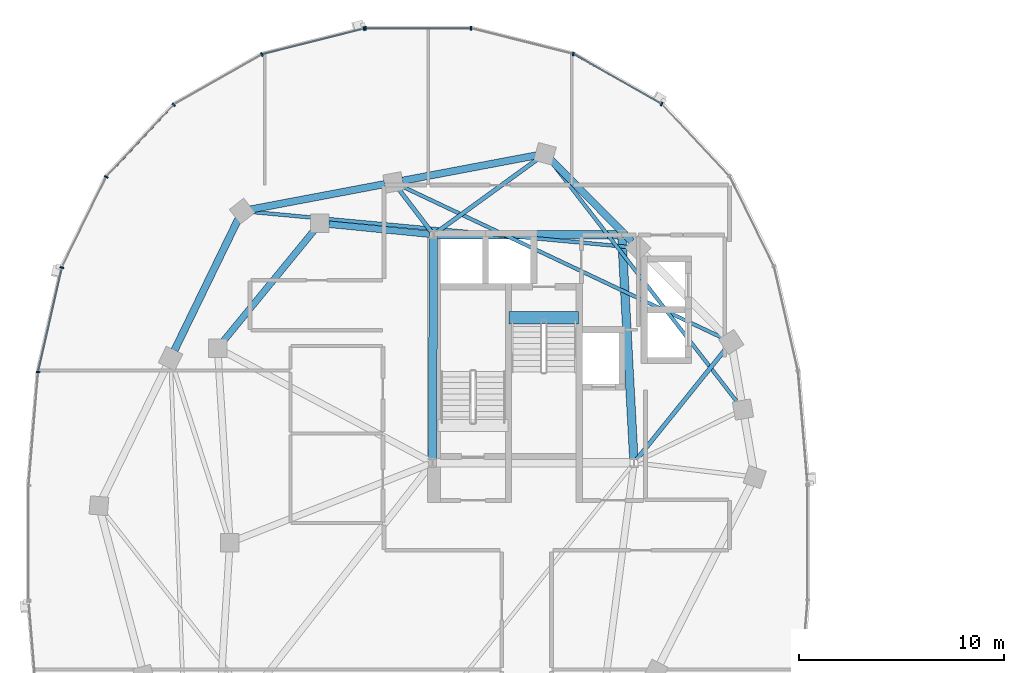
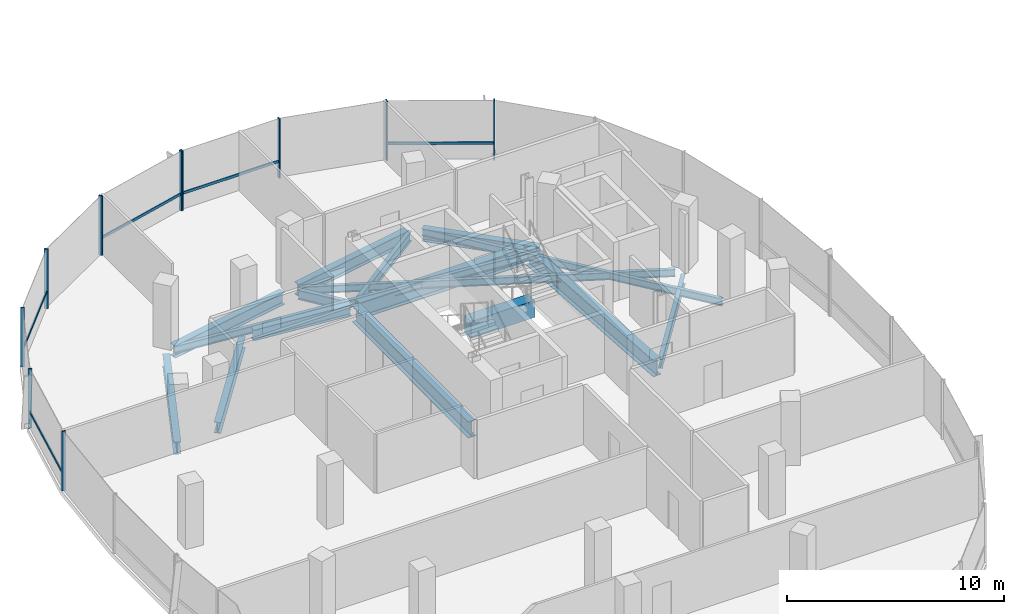
# One storey, part 6 of 25: 16 beams, 15 members, 2 elements without a shape of their own.
"""IFC4 building model written with IfcOpenShell, lengths in metres."""

from ifc_helpers import new_model, si_unit, direction, frame, origin, origin_2d, place, context, subcontext, project, spatial, rectangle, i_section, extrude, material, material_profile, profile_set, type_object, element, aggregate, save


model = new_model("IFC4")

# Units and contexts
model_context = context("Model", 3, precision=1e-05, world=origin(), true_north=direction((0.0, 1.0)))
body_context = subcontext(model_context, "Body", "Model", "MODEL_VIEW")
ifc_project = project(units=[si_unit("LENGTHUNIT", "METRE"), si_unit("AREAUNIT", "SQUARE_METRE"), si_unit("VOLUMEUNIT", "CUBIC_METRE"), si_unit("PLANEANGLEUNIT", "RADIAN"), si_unit("MASSUNIT", "GRAM", prefix="KILO"), si_unit("THERMODYNAMICTEMPERATUREUNIT", "KELVIN"), si_unit("POWERUNIT", "WATT")], contexts=[model_context])

# Site, building, storey
site_placement = place(None, origin())
site = spatial("IfcSite", under=ifc_project, at=site_placement, CompositionType="ELEMENT")
building_placement = place(site_placement, origin())
building = spatial("IfcBuilding", under=site, at=building_placement, Name="Cundina Bronze Exchange", CompositionType="ELEMENT")
storey_placement = place(building_placement, frame((0.0, 0.0, 224.199951171875)))
storey = spatial("IfcBuildingStorey", under=building, at=storey_placement, Name="L59", CompositionType="ELEMENT", Elevation=224.199951171875)

# Beams
ifc_material_1 = material(Name="Concrete C60/75", Category="concrete")
ifc_material_profile_1 = material_profile(ifc_material_1, rectangle(XDim=0.60009765625, YDim=0.949951171875, at=origin_2d()), Name="RC600X950", Category="concrete")
ifc_profile_set_1 = profile_set([ifc_material_profile_1], Name="Concrete C60/75")
beam_type_1 = type_object("IfcBeamType", Name="BM-COUP-RC950", PredefinedType="LINTEL", material=ifc_profile_set_1)
beam_1_placement = place(storey_placement, frame((-27.56005859375, 10.97998046875, -0.474853515625), z_axis=(1.0, 0.0, 0.0), x_axis=(0.0, 1.0, 0.0)))
element("IfcBeam", 1, at=beam_1_placement, inside=storey, type_object=beam_type_1, Name="L59 Stair W2 Landing Header Beam", PredefinedType="LINTEL", context=body_context, shape_type="SweptSolid", body=[
    extrude(rectangle(XDim=0.60009765625, YDim=0.949951171875, at=origin_2d()), origin(), (0.0, 0.0, 1.0), 3.400146484375),
])
ifc_material_2 = material(Name="Steel ASTM A992 Grade 50", Category="steel")
ifc_material_profile_2 = material_profile(ifc_material_2, i_section(OverallWidth=0.2119140625, OverallDepth=0.5439453125, WebThickness=0.01318359375, FlangeThickness=0.021240234375, FilletRadius=0.013916015625, at=origin_2d()), Name="W21X83", Category="steel")
ifc_profile_set_2 = profile_set([ifc_material_profile_2], Name="Steel ASTM A992 Grade 50")
beam_type_2 = type_object("IfcBeamType", Name="BM-FLR-W21A", PredefinedType="BEAM", material=ifc_profile_set_2)
beam_2_placement = place(storey_placement, frame((-21.3271484375, 4.052734375, -0.531982421875), z_axis=(0.627128630072, 0.778915708755, 0.0), x_axis=(-0.778915708755, 0.627128630072, 0.0)))
element("IfcBeam", 2, at=beam_2_placement, inside=storey, type_object=beam_type_2, Name="L59 Leg W Radial Floor Beam 02", PredefinedType="BEAM", context=body_context, shape_type="SweptSolid", body=[
    extrude(i_section(OverallWidth=0.2119140625, OverallDepth=0.5439453125, WebThickness=0.01318359375, FlangeThickness=0.021240234375, FilletRadius=0.013916015625, at=origin_2d()), origin(), (0.0, 0.0, 1.0), 6.9404296875),
])
beam_3_placement = place(storey_placement, frame((-31.09130859375, 15.1650390625, -0.531982421875), z_axis=(0.809709858543, 0.586830422677, 0.0), x_axis=(-0.586830422677, 0.809709858543, 0.0)))
element("IfcBeam", 3, at=beam_3_placement, inside=storey, type_object=beam_type_2, Name="L59 Leg W Radial Floor Beam 04", PredefinedType="BEAM", context=body_context, shape_type="SweptSolid", body=[
    extrude(i_section(OverallWidth=0.2119140625, OverallDepth=0.5439453125, WebThickness=0.01318359375, FlangeThickness=0.021240234375, FilletRadius=0.013916015625, at=origin_2d()), origin(), (0.0, 0.0, 1.0), 6.096923828125),
])
beam_4_placement = place(storey_placement, frame((-31.369140625, 15.205810546875, -0.531982421875), z_axis=(-0.60740437517, 0.794392802727, 0.0), x_axis=(-0.794392802727, -0.60740437517, 0.0)))
element("IfcBeam", 4, at=beam_4_placement, inside=storey, type_object=beam_type_2, Name="L59 Leg W Radial Floor Beam 05", PredefinedType="BEAM", context=body_context, shape_type="SweptSolid", body=[
    extrude(i_section(OverallWidth=0.2119140625, OverallDepth=0.5439453125, WebThickness=0.01318359375, FlangeThickness=0.021240234375, FilletRadius=0.013916015625, at=origin_2d()), origin(), (0.0, 0.0, 1.0), 2.575927734375),
])
ifc_material_profile_3 = material_profile(ifc_material_2, i_section(OverallWidth=0.178955078125, OverallDepth=0.409912109375, WebThickness=0.0087890625, FlangeThickness=0.014404296875, FilletRadius=0.010986328125, at=origin_2d()), Name="W16X45", Category="steel")
ifc_profile_set_3 = profile_set([ifc_material_profile_3], Name="Steel ASTM A992 Grade 50")
beam_type_3 = type_object("IfcBeamType", Name="BM-JST-W16", PredefinedType="JOIST", material=ifc_profile_set_3)
beam_5_placement = place(storey_placement, frame((-16.39306640625, 6.846435546875, -0.46484375), z_axis=(-0.612085793291, 0.790791364174, 0.0), x_axis=(-0.790791364174, -0.612085793291, 0.0)))
element("IfcBeam", 5, at=beam_5_placement, inside=storey, type_object=beam_type_3, Name="L59 Leg W Lobe Floor Joist 01-04", PredefinedType="JOIST", context=body_context, shape_type="SweptSolid", body=[
    extrude(i_section(OverallWidth=0.178955078125, OverallDepth=0.409912109375, WebThickness=0.0087890625, FlangeThickness=0.014404296875, FilletRadius=0.010986328125, at=origin_2d()), origin(), (0.0, 0.0, 1.0), 14.9306640625),
])
beam_6_placement = place(storey_placement, frame((-17.095947265625, 9.9873046875, -0.46484375), z_axis=(-0.904073747204, 0.427376484632, 0.0), x_axis=(-0.427376484632, -0.904073747204, 0.0)))
element("IfcBeam", 6, at=beam_6_placement, inside=storey, type_object=beam_type_3, Name="L59 Leg W Lobe Floor Joist 02-05", PredefinedType="JOIST", context=body_context, shape_type="SweptSolid", body=[
    extrude(i_section(OverallWidth=0.178955078125, OverallDepth=0.409912109375, WebThickness=0.0087890625, FlangeThickness=0.014404296875, FilletRadius=0.010986328125, at=origin_2d()), origin(), (0.0, 0.0, 1.0), 17.374755859375),
])
beam_7_placement = place(storey_placement, frame((-21.68603515625, 14.440673828125, -0.46484375), z_axis=(-0.9957017803, 0.092617302415, 0.0), x_axis=(-0.092617302415, -0.9957017803, 0.0)))
element("IfcBeam", 7, at=beam_7_placement, inside=storey, type_object=beam_type_3, Name="L59 Leg W Lobe Floor Joist 03-06", PredefinedType="JOIST", context=body_context, shape_type="SweptSolid", body=[
    extrude(i_section(OverallWidth=0.178955078125, OverallDepth=0.409912109375, WebThickness=0.0087890625, FlangeThickness=0.014404296875, FilletRadius=0.010986328125, at=origin_2d()), origin(), (0.0, 0.0, 1.0), 18.5576171875),
])
ifc_material_profile_4 = material_profile(ifc_material_2, i_section(OverallWidth=0.324951171875, OverallDepth=0.615966796875, WebThickness=0.013916015625, FlangeThickness=0.021484375, FilletRadius=0.01611328125, at=origin_2d()), Name="W24X117", Category="steel")
ifc_profile_set_4 = profile_set([ifc_material_profile_4], Name="Steel ASTM A992 Grade 50")
beam_type_4 = type_object("IfcBeamType", Name="BM-RING-W24", PredefinedType="USERDEFINED", material=ifc_profile_set_4)
beam_8_placement = place(storey_placement, frame((-31.445068359375, 15.0693359375, -0.56787109375), z_axis=(-0.995123854478, 0.09863323096, 0.0), x_axis=(-0.09863323096, -0.995123854478, 0.0)))
element("IfcBeam", 8, at=beam_8_placement, inside=storey, type_object=beam_type_4, Name="L59 W Inner Structural Ring Girder 01", ObjectType="GIRDER", PredefinedType="USERDEFINED", context=body_context, shape_type="SweptSolid", body=[
    extrude(i_section(OverallWidth=0.324951171875, OverallDepth=0.615966796875, WebThickness=0.013916015625, FlangeThickness=0.021484375, FilletRadius=0.01611328125, at=origin_2d()), origin(), (0.0, 0.0, 1.0), 4.943115234375),
])
beam_9_placement = place(storey_placement, frame((-37.07763671875, 15.26123046875, -0.56787109375), z_axis=(-0.633912590175, -0.77340469873, 0.0), x_axis=(0.77340469873, -0.633912590175, 0.0)))
element("IfcBeam", 9, at=beam_9_placement, inside=storey, type_object=beam_type_4, Name="L59 W Inner Structural Ring Girder 02", ObjectType="GIRDER", PredefinedType="USERDEFINED", context=body_context, shape_type="SweptSolid", body=[
    extrude(i_section(OverallWidth=0.324951171875, OverallDepth=0.615966796875, WebThickness=0.013916015625, FlangeThickness=0.021484375, FilletRadius=0.01611328125, at=origin_2d()), origin(), (0.0, 0.0, 1.0), 7.01123046875),
])
ifc_material_profile_5 = material_profile(ifc_material_2, i_section(OverallWidth=0.35498046875, OverallDepth=0.695068359375, WebThickness=0.015380859375, FlangeThickness=0.02490234375, FilletRadius=0.01806640625, at=origin_2d()), Name="W27X146", Category="steel")
ifc_profile_set_5 = profile_set([ifc_material_profile_5], Name="Steel ASTM A992 Grade 50")
beam_type_5 = type_object("IfcBeamType", Name="BM-RING-W27", PredefinedType="USERDEFINED", material=ifc_profile_set_5)
beam_10_placement = place(storey_placement, frame((-21.55810546875, 14.71142578125, -0.607421875), z_axis=(-0.703211928763, 0.710980297368, 0.0), x_axis=(-0.710980297368, -0.703211928763, 0.0)))
element("IfcBeam", 10, at=beam_10_placement, inside=storey, type_object=beam_type_5, Name="L59 W Perimeter Ring Girder 03", ObjectType="GIRDER", PredefinedType="USERDEFINED", context=body_context, shape_type="SweptSolid", body=[
    extrude(i_section(OverallWidth=0.35498046875, OverallDepth=0.695068359375, WebThickness=0.015380859375, FlangeThickness=0.02490234375, FilletRadius=0.01806640625, at=origin_2d()), origin(), (0.0, 0.0, 1.0), 5.593994140625),
])
beam_11_placement = place(storey_placement, frame((-26.23046875, 18.918701171875, -0.607421875), z_axis=(-0.982565174657, -0.185918470175, 0.0), x_axis=(0.185918470175, -0.982565174657, 0.0)))
element("IfcBeam", 11, at=beam_11_placement, inside=storey, type_object=beam_type_5, Name="L59 W Perimeter Ring Girder 04", ObjectType="GIRDER", PredefinedType="USERDEFINED", context=body_context, shape_type="SweptSolid", body=[
    extrude(i_section(OverallWidth=0.35498046875, OverallDepth=0.695068359375, WebThickness=0.015380859375, FlangeThickness=0.02490234375, FilletRadius=0.01806640625, at=origin_2d()), origin(), (0.0, 0.0, 1.0), 6.655029296875),
])
beam_12_placement = place(storey_placement, frame((-33.63037109375, 17.5185546875, -0.607421875), z_axis=(-0.982573143022, -0.185876353022, 0.0), x_axis=(0.185876353022, -0.982573143022, 0.0)))
element("IfcBeam", 12, at=beam_12_placement, inside=storey, type_object=beam_type_5, Name="L59 W Perimeter Ring Girder 05", ObjectType="GIRDER", PredefinedType="USERDEFINED", context=body_context, shape_type="SweptSolid", body=[
    extrude(i_section(OverallWidth=0.35498046875, OverallDepth=0.695068359375, WebThickness=0.015380859375, FlangeThickness=0.02490234375, FilletRadius=0.01806640625, at=origin_2d()), origin(), (0.0, 0.0, 1.0), 6.6552734375),
])
beam_13_placement = place(storey_placement, frame((-40.79150390625, 15.80615234375, -0.607421875), z_axis=(-0.437173087764, -0.89937739094, 0.0), x_axis=(0.89937739094, -0.437173087764, 0.0)))
element("IfcBeam", 13, at=beam_13_placement, inside=storey, type_object=beam_type_5, Name="L59 W Perimeter Ring Girder 06", ObjectType="GIRDER", PredefinedType="USERDEFINED", context=body_context, shape_type="SweptSolid", body=[
    extrude(i_section(OverallWidth=0.35498046875, OverallDepth=0.695068359375, WebThickness=0.015380859375, FlangeThickness=0.02490234375, FilletRadius=0.01806640625, at=origin_2d()), origin(), (0.0, 0.0, 1.0), 7.1298828125),
])
ifc_material_profile_6 = material_profile(ifc_material_2, i_section(OverallWidth=0.41796875, OverallDepth=0.927001953125, WebThickness=0.019287109375, FlangeThickness=0.031982421875, FilletRadius=0.02392578125, at=origin_2d()), Name="W36X231", Category="steel")
ifc_profile_set_6 = profile_set([ifc_material_profile_6], Name="Steel ASTM A992 Grade 50")
beam_type_6 = type_object("IfcBeamType", Name="BM-WRN-W36B", PredefinedType="USERDEFINED", material=ifc_profile_set_6)
beam_14_placement = place(storey_placement, frame((-21.46044921875, 4.095703125, -0.723388671875), z_axis=(-0.053749317644, 0.998554460634, 0.0), x_axis=(-0.998554460634, -0.053749317644, 0.0)))
element("IfcBeam", 14, at=beam_14_placement, inside=storey, type_object=beam_type_6, Name="L59 W Core Perimeter Tie Girder 2", ObjectType="GIRDER", PredefinedType="USERDEFINED", context=body_context, shape_type="SweptSolid", body=[
    extrude(i_section(OverallWidth=0.41796875, OverallDepth=0.927001953125, WebThickness=0.019287109375, FlangeThickness=0.031982421875, FilletRadius=0.02392578125, at=origin_2d()), origin(), (0.0, 0.0, 1.0), 10.774169921875),
])
beam_15_placement = place(storey_placement, frame((-22.24609375, 15.050048828125, -0.723388671875), z_axis=(-1.0, 0.0, 0.0), x_axis=(0.0, -1.0, 0.0)))
element("IfcBeam", 15, at=beam_15_placement, inside=storey, type_object=beam_type_6, Name="L59 W Core Perimeter Tie Girder 3", ObjectType="GIRDER", PredefinedType="USERDEFINED", context=body_context, shape_type="SweptSolid", body=[
    extrude(i_section(OverallWidth=0.41796875, OverallDepth=0.927001953125, WebThickness=0.019287109375, FlangeThickness=0.031982421875, FilletRadius=0.02392578125, at=origin_2d()), origin(), (0.0, 0.0, 1.0), 8.807861328125),
])
beam_16_placement = place(storey_placement, frame((-31.2509765625, 14.85400390625, -0.723388671875), z_axis=(-0.004470623654, -0.999990006712, 0.0), x_axis=(0.999990006712, -0.004470623654, 0.0)))
element("IfcBeam", 16, at=beam_16_placement, inside=storey, type_object=beam_type_6, Name="L59 W Core Perimeter Tie Girder 4", ObjectType="GIRDER", PredefinedType="USERDEFINED", context=body_context, shape_type="SweptSolid", body=[
    extrude(i_section(OverallWidth=0.41796875, OverallDepth=0.927001953125, WebThickness=0.019287109375, FlangeThickness=0.031982421875, FilletRadius=0.02392578125, at=origin_2d()), origin(), (0.0, 0.0, 1.0), 10.758056640625),
])

# Curtain wall, members
ifc_material_3 = material(Name="Anodised Bronze Aluminium 6063-T6", Category="aluminium")
curtain_wall_type = type_object("IfcCurtainWallType", Name="CWS-UPP-OFF", PredefinedType="NOTDEFINED", material=ifc_material_3)
curtain_wall_1_placement = place(storey_placement, origin())
curtain_wall_1 = element("IfcCurtainWall", 17, at=curtain_wall_1_placement, inside=storey, type_object=curtain_wall_type, Name="L59 CW-05 Curtain Wall Run CWR-L59-W1", PredefinedType="NOTDEFINED")
ifc_material_profile_7 = material_profile(ifc_material_3, rectangle(XDim=0.070068359375, YDim=0.18994140625, at=origin_2d()), Name="AL70X190", Category="aluminium")
ifc_profile_set_7 = profile_set([ifc_material_profile_7], Name="Anodised Bronze Aluminium 6063-T6")
member_type_1 = type_object("IfcMemberType", Name="CWM-MUL-190", PredefinedType="MULLION", material=ifc_profile_set_7)
member_1_placement = place(storey_placement, frame((-20.100341796875, 21.43115234375, 0.0), z_axis=(0.0, 0.0, 1.0), x_axis=(-0.86958112538, 0.493790103568, 0.0)))
member_1 = element("IfcMember", 18, at=member_1_placement, type_object=member_type_1, Name="CW-05 Mullion 5", PredefinedType="MULLION", context=body_context, shape_type="SweptSolid", body=[
    extrude(rectangle(XDim=0.070068359375, YDim=0.18994140625, at=origin_2d()), origin(), (0.0, 0.0, 1.0), 3.340087890625),
])
member_2_placement = place(storey_placement, frame((-24.422607421875, 23.87548828125, 0.0), z_axis=(0.0, 0.0, 1.0), x_axis=(-0.969744325821, 0.244122802168, 0.0)))
member_2 = element("IfcMember", 19, at=member_2_placement, type_object=member_type_1, Name="CW-05 Mullion 6", PredefinedType="MULLION", context=body_context, shape_type="SweptSolid", body=[
    extrude(rectangle(XDim=0.070068359375, YDim=0.18994140625, at=origin_2d()), origin(), (0.0, 0.0, 1.0), 3.340087890625),
])
member_3_placement = place(storey_placement, frame((-29.419921875, 25.125, 0.0), z_axis=(0.0, 0.0, 1.0), x_axis=(-1.0, 0.0, 0.0)))
member_3 = element("IfcMember", 20, at=member_3_placement, type_object=member_type_1, Name="CW-05 Mullion 7", PredefinedType="MULLION", context=body_context, shape_type="SweptSolid", body=[
    extrude(rectangle(XDim=0.070068359375, YDim=0.18994140625, at=origin_2d()), origin(), (0.0, 0.0, 1.0), 3.340087890625),
])
member_4_placement = place(storey_placement, frame((-34.580078125, 25.125, 0.0), z_axis=(0.0, 0.0, 1.0), x_axis=(-1.0, 0.0, 0.0)))
member_4 = element("IfcMember", 21, at=member_4_placement, type_object=member_type_1, Name="CW-05 End Mullion", PredefinedType="MULLION", context=body_context, shape_type="SweptSolid", body=[
    extrude(rectangle(XDim=0.070068359375, YDim=0.18994140625, at=origin_2d()), origin(), (0.0, 0.0, 1.0), 3.340087890625),
])

curtain_wall_2_placement = place(storey_placement, origin())
curtain_wall_2 = element("IfcCurtainWall", 22, at=curtain_wall_2_placement, inside=storey, type_object=curtain_wall_type, Name="L59 CW-05 Curtain Wall Run CWR-L59-W2", PredefinedType="NOTDEFINED")
member_5_placement = place(storey_placement, frame((-34.6484375, 25.116455078125, 0.0), z_axis=(0.0, 0.0, 1.0), x_axis=(-0.969744325821, -0.244122802168, 0.0)))
member_5 = element("IfcMember", 23, at=member_5_placement, type_object=member_type_1, Name="CW-05 Mullion 1", PredefinedType="MULLION", context=body_context, shape_type="SweptSolid", body=[
    extrude(rectangle(XDim=0.070068359375, YDim=0.18994140625, at=origin_2d()), origin(), (0.0, 0.0, 1.0), 3.340087890625),
])
member_6_placement = place(storey_placement, frame((-39.638916015625, 23.850830078125, 0.0), z_axis=(0.0, 0.0, 1.0), x_axis=(-0.86958112538, -0.493790103568, 0.0)))
member_6 = element("IfcMember", 24, at=member_6_placement, type_object=member_type_1, Name="CW-05 Mullion 2", PredefinedType="MULLION", context=body_context, shape_type="SweptSolid", body=[
    extrude(rectangle(XDim=0.070068359375, YDim=0.18994140625, at=origin_2d()), origin(), (0.0, 0.0, 1.0), 3.340087890625),
])
member_7_placement = place(storey_placement, frame((-43.94873046875, 21.392578125, 0.0), z_axis=(0.0, 0.0, 1.0), x_axis=(-0.684292606175, -0.729207535023, 0.0)))
member_7 = element("IfcMember", 25, at=member_7_placement, type_object=member_type_1, Name="CW-05 Mullion 3", PredefinedType="MULLION", context=body_context, shape_type="SweptSolid", body=[
    extrude(rectangle(XDim=0.070068359375, YDim=0.18994140625, at=origin_2d()), origin(), (0.0, 0.0, 1.0), 3.340087890625),
])
member_8_placement = place(storey_placement, frame((-47.245361328125, 17.866455078125, 0.0), z_axis=(0.0, 0.0, 1.0), x_axis=(-0.440566004113, -0.897720221461, 0.0)))
member_8 = element("IfcMember", 26, at=member_8_placement, type_object=member_type_1, Name="CW-05 Mullion 4", PredefinedType="MULLION", context=body_context, shape_type="SweptSolid", body=[
    extrude(rectangle(XDim=0.070068359375, YDim=0.18994140625, at=origin_2d()), origin(), (0.0, 0.0, 1.0), 3.340087890625),
])
member_9_placement = place(storey_placement, frame((-49.40771484375, 13.440673828125, 0.0), z_axis=(0.0, 0.0, 1.0), x_axis=(-0.223250116011, -0.974761194191, 0.0)))
member_9 = element("IfcMember", 27, at=member_9_placement, type_object=member_type_1, Name="CW-05 Mullion 5", PredefinedType="MULLION", context=body_context, shape_type="SweptSolid", body=[
    extrude(rectangle(XDim=0.070068359375, YDim=0.18994140625, at=origin_2d()), origin(), (0.0, 0.0, 1.0), 3.340087890625),
])
member_10_placement = place(storey_placement, frame((-50.572509765625, 8.33056640625, 0.0), z_axis=(0.0, 0.0, 1.0), x_axis=(-0.083677843332, -0.99649285925, 0.0)))
member_10 = element("IfcMember", 28, at=member_10_placement, type_object=member_type_1, Name="CW-05 Mullion 6", PredefinedType="MULLION", context=body_context, shape_type="SweptSolid", body=[
    extrude(rectangle(XDim=0.070068359375, YDim=0.18994140625, at=origin_2d()), origin(), (0.0, 0.0, 1.0), 3.340087890625),
])

# Member
ifc_material_profile_8 = material_profile(ifc_material_3, rectangle(XDim=0.06494140625, YDim=0.14990234375, at=origin_2d()), Name="AL65X150", Category="aluminium")
ifc_profile_set_8 = profile_set([ifc_material_profile_8], Name="Anodised Bronze Aluminium 6063-T6")
member_type_2 = type_object("IfcMemberType", Name="CWM-TRN-150", PredefinedType="USERDEFINED", material=ifc_profile_set_8)
member_11_placement = place(storey_placement, frame((-20.1337890625, 21.4501953125, 0.920166015625), z_axis=(-0.869573748083, 0.493803095013, 0.0), x_axis=(-0.493803095013, -0.869573748083, 0.0)))
member_11 = element("IfcMember", 29, at=member_11_placement, type_object=member_type_2, Name="CW-05 Spandrel Transom 5", ObjectType="TRANSOM", PredefinedType="USERDEFINED", context=body_context, shape_type="SweptSolid", body=[
    extrude(rectangle(XDim=0.06494140625, YDim=0.14990234375, at=origin_2d()), origin(), (0.0, 0.0, 1.0), 4.900146484375),
])

member_12_placement = place(storey_placement, frame((-29.45849609375, 25.125, 0.920166015625), z_axis=(-1.0, 0.0, 0.0), x_axis=(0.0, -1.0, 0.0)))
member_12 = element("IfcMember", 30, at=member_12_placement, type_object=member_type_2, Name="CW-05 Spandrel Transom 7", ObjectType="TRANSOM", PredefinedType="USERDEFINED", context=body_context, shape_type="SweptSolid", body=[
    extrude(rectangle(XDim=0.06494140625, YDim=0.14990234375, at=origin_2d()), origin(), (0.0, 0.0, 1.0), 5.0830078125),
])

aggregate(curtain_wall_1, [member_1, member_11, member_2, member_3, member_4, member_12])

member_13_placement = place(storey_placement, frame((-34.685791015625, 25.107177734375, 0.920166015625), z_axis=(-0.969725738797, -0.244196624699, 0.0), x_axis=(0.244196624699, -0.969725738797, 0.0)))
member_13 = element("IfcMember", 31, at=member_13_placement, type_object=member_type_2, Name="CW-05 Spandrel Transom 1", ObjectType="TRANSOM", PredefinedType="USERDEFINED", context=body_context, shape_type="SweptSolid", body=[
    extrude(rectangle(XDim=0.06494140625, YDim=0.14990234375, at=origin_2d()), origin(), (0.0, 0.0, 1.0), 5.082763671875),
])

member_14_placement = place(storey_placement, frame((-43.97509765625, 21.364501953125, 0.920166015625), z_axis=(-0.684336416554, -0.729166420633, 0.0), x_axis=(0.729166420633, -0.684336416554, 0.0)))
member_14 = element("IfcMember", 32, at=member_14_placement, type_object=member_type_2, Name="CW-05 Spandrel Transom 3", ObjectType="TRANSOM", PredefinedType="USERDEFINED", context=body_context, shape_type="SweptSolid", body=[
    extrude(rectangle(XDim=0.06494140625, YDim=0.14990234375, at=origin_2d()), origin(), (0.0, 0.0, 1.0), 4.76513671875),
])

member_15_placement = place(storey_placement, frame((-49.41650390625, 13.403076171875, 0.920166015625), z_axis=(-0.22328343579, -0.974753562344, 0.0), x_axis=(0.974753562344, -0.22328343579, 0.0)))
member_15 = element("IfcMember", 33, at=member_15_placement, type_object=member_type_2, Name="CW-05 Spandrel Transom 5", ObjectType="TRANSOM", PredefinedType="USERDEFINED", context=body_context, shape_type="SweptSolid", body=[
    extrude(rectangle(XDim=0.06494140625, YDim=0.14990234375, at=origin_2d()), origin(), (0.0, 0.0, 1.0), 5.159912109375),
])

aggregate(curtain_wall_2, [member_5, member_13, member_6, member_7, member_14, member_8, member_9, member_15, member_10])

save(model, "model.ifc")
